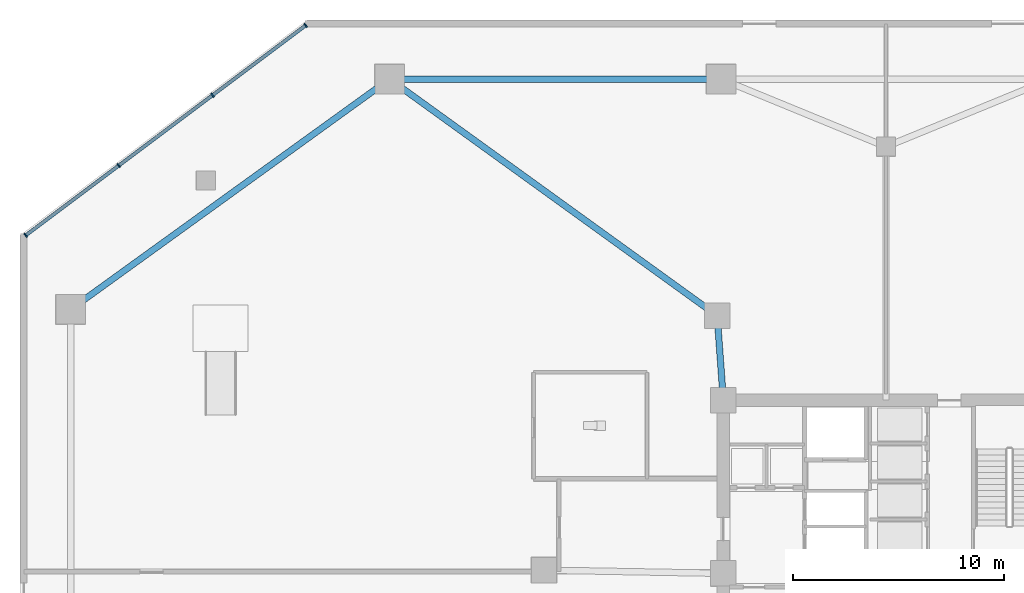
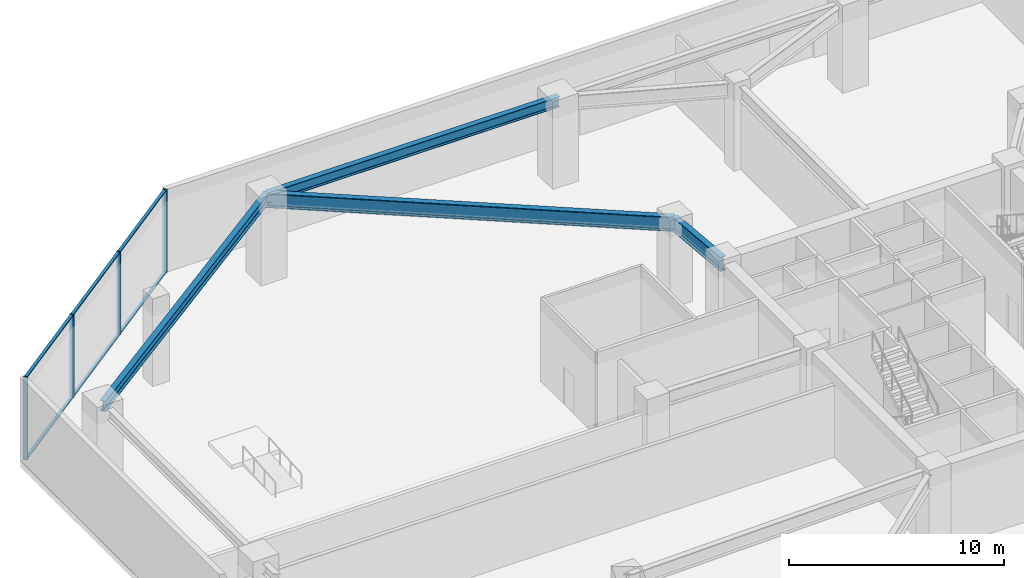
# One storey, part 4 of 22: 10 members, 4 beams, 1 element without a shape of its own.
"""IFC4 building model written with IfcOpenShell, lengths in metres."""

from ifc_helpers import new_model, si_unit, direction, frame, origin, origin_2d, place, context, subcontext, project, spatial, rectangle, i_section, extrude, material, material_profile, profile_set, type_object, element, aggregate, save


model = new_model("IFC4")

# Units and contexts
model_context = context("Model", 3, precision=1e-05, world=origin(), true_north=direction((0.0, 1.0)))
body_context = subcontext(model_context, "Body", "Model", "MODEL_VIEW")
ifc_project = project(units=[si_unit("LENGTHUNIT", "METRE"), si_unit("AREAUNIT", "SQUARE_METRE"), si_unit("VOLUMEUNIT", "CUBIC_METRE"), si_unit("PLANEANGLEUNIT", "RADIAN"), si_unit("MASSUNIT", "GRAM", prefix="KILO")], contexts=[model_context])

# Site, building, storey
site_placement = place(None, origin())
site = spatial("IfcSite", under=ifc_project, at=site_placement, CompositionType="ELEMENT")
building_placement = place(site_placement, origin())
building = spatial("IfcBuilding", under=site, at=building_placement, Name="Savorim Split Tower", CompositionType="ELEMENT")
storey_placement = place(building_placement, origin())
storey = spatial("IfcBuildingStorey", under=building, at=storey_placement, Name="L00", CompositionType="ELEMENT", Elevation=0.0)

# Beams
ifc_material_1 = material(Name="Steel S460", Category="steel")
ifc_material_profile_1 = material_profile(ifc_material_1, i_section(OverallWidth=0.302978515625, OverallDepth=0.81396484375, WebThickness=0.02099609375, FlangeThickness=0.0400390625, FilletRadius=0.030029296875, at=origin_2d()), Name="HE 800 M")
ifc_profile_set_1 = profile_set([ifc_material_profile_1], Name="Steel S460")
beam_type_1 = type_object("IfcBeamType", Name="BM-PRI-HEM800", PredefinedType="BEAM", material=ifc_profile_set_1)
beam_1_placement = place(storey_placement, frame((-23.5, 25.39990234375, 4.31298828125), z_axis=(0.810720623397, -0.585433233426, 0.0), x_axis=(0.585433233426, 0.810720623397, 0.0)))
element("IfcBeam", 1, at=beam_1_placement, inside=storey, type_object=beam_type_1, Name="L00 Podium Primary Girder BG-15", PredefinedType="BEAM", context=body_context, shape_type="SweptSolid", body=[
    extrude(i_section(OverallWidth=0.302978515625, OverallDepth=0.81396484375, WebThickness=0.02099609375, FlangeThickness=0.0400390625, FilletRadius=0.030029296875, at=origin_2d()), origin(), (0.0, 0.0, 1.0), 19.128173828125),
])
beam_2_placement = place(storey_placement, frame((-7.992431640625, 14.20166015625, 4.31298828125), z_axis=(0.072894449016, -0.997339660949, 0.0), x_axis=(0.997339660949, 0.072894449016, 0.0)))
element("IfcBeam", 2, at=beam_2_placement, inside=storey, type_object=beam_type_1, Name="L00 Podium Primary Girder BG-29", PredefinedType="BEAM", context=body_context, shape_type="SweptSolid", body=[
    extrude(i_section(OverallWidth=0.302978515625, OverallDepth=0.81396484375, WebThickness=0.02099609375, FlangeThickness=0.0400390625, FilletRadius=0.030029296875, at=origin_2d()), origin(), (0.0, 0.0, 1.0), 4.012451171875),
])
ifc_material_2 = material(Name="Steel S355", Category="steel")
ifc_material_profile_2 = material_profile(ifc_material_2, i_section(OverallWidth=0.300048828125, OverallDepth=0.590087890625, WebThickness=0.012939453125, FlangeThickness=0.02490234375, FilletRadius=0.027099609375, at=origin_2d()), Name="HEA 600")
ifc_profile_set_2 = profile_set([ifc_material_profile_2], Name="Steel S355")
beam_type_2 = type_object("IfcBeamType", Name="BM-SPN-HEA600", PredefinedType="SPANDREL", material=ifc_profile_set_2)
beam_3_placement = place(storey_placement, frame((-7.800048828125, 25.39990234375, 4.425048828125), z_axis=(-1.0, 0.0, 0.0), x_axis=(0.0, -1.0, 0.0)))
element("IfcBeam", 3, at=beam_3_placement, inside=storey, type_object=beam_type_2, Name="L00 Podium Spandrel Beam 8", PredefinedType="SPANDREL", context=body_context, shape_type="SweptSolid", body=[
    extrude(i_section(OverallWidth=0.300048828125, OverallDepth=0.590087890625, WebThickness=0.012939453125, FlangeThickness=0.02490234375, FilletRadius=0.027099609375, at=origin_2d()), origin(), (0.0, 0.0, 1.0), 15.699951171875),
])
beam_4_placement = place(storey_placement, frame((-23.5, 25.39990234375, 4.425048828125), z_axis=(-0.810825083438, -0.585288547699, 0.0), x_axis=(0.585288547699, -0.810825083438, 0.0)))
element("IfcBeam", 4, at=beam_4_placement, inside=storey, type_object=beam_type_2, Name="L00 Podium Spandrel Beam 9", PredefinedType="SPANDREL", context=body_context, shape_type="SweptSolid", body=[
    extrude(i_section(OverallWidth=0.300048828125, OverallDepth=0.590087890625, WebThickness=0.012939453125, FlangeThickness=0.02490234375, FilletRadius=0.027099609375, at=origin_2d()), origin(), (0.0, 0.0, 1.0), 18.623046875),
])

# Curtain wall, members
ifc_material_3 = material(Name="Dark Ceramic-Fritted Insulated Glass", Category="glass")
curtain_wall_type = type_object("IfcCurtainWallType", Name="CW-POD-GLZ", PredefinedType="NOTDEFINED", material=ifc_material_3)
curtain_wall_placement = place(storey_placement, origin())
curtain_wall = element("IfcCurtainWall", 5, at=curtain_wall_placement, inside=storey, type_object=curtain_wall_type, Name="L00 Curtain Wall CW-L00-E09", PredefinedType="NOTDEFINED")
ifc_material_4 = material(Name="Charcoal Anodised Aluminium", Category="aluminium")
ifc_material_profile_3 = material_profile(ifc_material_4, rectangle(XDim=0.219970703125, YDim=0.070068359375, at=origin_2d()), Name="ALU-M 220x70")
ifc_profile_set_3 = profile_set([ifc_material_profile_3], Name="Charcoal Anodised Aluminium")
member_type_1 = type_object("IfcMemberType", Name="CWM-220x70", PredefinedType="MULLION", material=ifc_profile_set_3)
member_1_placement = place(storey_placement, frame((-27.47607421875, 27.943115234375, 0.0), z_axis=(0.0, 0.0, 1.0), x_axis=(0.600000000002, -0.799999999998, 0.0)))
member_1 = element("IfcMember", 6, at=member_1_placement, type_object=member_type_1, Name="CW-01 mullion 1", PredefinedType="MULLION", context=body_context, shape_type="SweptSolid", body=[
    extrude(rectangle(XDim=0.219970703125, YDim=0.070068359375, at=origin_2d()), origin(), (0.0, 0.0, 1.0), 4.719970703125),
])
member_2_placement = place(storey_placement, frame((-31.88525390625, 24.635986328125, 0.0), z_axis=(0.0, 0.0, 1.0), x_axis=(0.600000000002, -0.799999999998, 0.0)))
member_2 = element("IfcMember", 7, at=member_2_placement, type_object=member_type_1, Name="CW-01 mullion 2", PredefinedType="MULLION", context=body_context, shape_type="SweptSolid", body=[
    extrude(rectangle(XDim=0.219970703125, YDim=0.070068359375, at=origin_2d()), origin(), (0.0, 0.0, 1.0), 4.719970703125),
])
member_3_placement = place(storey_placement, frame((-36.32275390625, 21.30810546875, 0.0), z_axis=(0.0, 0.0, 1.0), x_axis=(0.600000000002, -0.799999999998, 0.0)))
member_3 = element("IfcMember", 8, at=member_3_placement, type_object=member_type_1, Name="CW-01 mullion 3", PredefinedType="MULLION", context=body_context, shape_type="SweptSolid", body=[
    extrude(rectangle(XDim=0.219970703125, YDim=0.070068359375, at=origin_2d()), origin(), (0.0, 0.0, 1.0), 4.719970703125),
])
member_4_placement = place(storey_placement, frame((-40.73193359375, 18.0009765625, 0.0), z_axis=(0.0, 0.0, 1.0), x_axis=(0.600000000002, -0.799999999998, 0.0)))
member_4 = element("IfcMember", 9, at=member_4_placement, type_object=member_type_1, Name="CW-01 mullion 4", PredefinedType="MULLION", context=body_context, shape_type="SweptSolid", body=[
    extrude(rectangle(XDim=0.219970703125, YDim=0.070068359375, at=origin_2d()), origin(), (0.0, 0.0, 1.0), 4.719970703125),
])
ifc_material_profile_4 = material_profile(ifc_material_4, rectangle(XDim=0.159912109375, YDim=0.06005859375, at=origin_2d()), Name="ALU-T 160x60")
ifc_profile_set_4 = profile_set([ifc_material_profile_4], Name="Charcoal Anodised Aluminium")
member_type_2 = type_object("IfcMemberType", Name="CWT-160x60", PredefinedType="USERDEFINED", material=ifc_profile_set_4)
member_5_placement = place(storey_placement, frame((-27.50390625, 27.922119140625, 0.030029296875), z_axis=(-0.8, -0.6, 0.0), x_axis=(0.6, -0.8, 0.0)))
member_5 = element("IfcMember", 10, at=member_5_placement, type_object=member_type_2, Name="CW-01 transom 1.1", ObjectType="TRANSOM", PredefinedType="USERDEFINED", context=body_context, shape_type="SweptSolid", body=[
    extrude(rectangle(XDim=0.159912109375, YDim=0.06005859375, at=origin_2d()), origin(), (0.0, 0.0, 1.0), 5.44189453125),
])
member_6_placement = place(storey_placement, frame((-27.50390625, 27.922119140625, 4.68994140625), z_axis=(-0.8, -0.6, 0.0), x_axis=(0.6, -0.8, 0.0)))
member_6 = element("IfcMember", 11, at=member_6_placement, type_object=member_type_2, Name="CW-01 transom 1.2", ObjectType="TRANSOM", PredefinedType="USERDEFINED", context=body_context, shape_type="SweptSolid", body=[
    extrude(rectangle(XDim=0.159912109375, YDim=0.06005859375, at=origin_2d()), origin(), (0.0, 0.0, 1.0), 5.44189453125),
])
member_7_placement = place(storey_placement, frame((-31.913330078125, 24.614990234375, 0.030029296875), z_axis=(-0.800010698779, -0.599985734697, 0.0), x_axis=(0.599985734697, -0.800010698779, 0.0)))
member_7 = element("IfcMember", 12, at=member_7_placement, type_object=member_type_2, Name="CW-01 transom 2.1", ObjectType="TRANSOM", PredefinedType="USERDEFINED", context=body_context, shape_type="SweptSolid", body=[
    extrude(rectangle(XDim=0.159912109375, YDim=0.06005859375, at=origin_2d()), origin(), (0.0, 0.0, 1.0), 5.4765625),
])
member_8_placement = place(storey_placement, frame((-31.913330078125, 24.614990234375, 4.68994140625), z_axis=(-0.800010698779, -0.599985734697, 0.0), x_axis=(0.599985734697, -0.800010698779, 0.0)))
member_8 = element("IfcMember", 13, at=member_8_placement, type_object=member_type_2, Name="CW-01 transom 2.2", ObjectType="TRANSOM", PredefinedType="USERDEFINED", context=body_context, shape_type="SweptSolid", body=[
    extrude(rectangle(XDim=0.159912109375, YDim=0.06005859375, at=origin_2d()), origin(), (0.0, 0.0, 1.0), 5.4765625),
])
member_9_placement = place(storey_placement, frame((-36.3505859375, 21.287109375, 0.030029296875), z_axis=(-0.8, -0.6, 0.0), x_axis=(0.6, -0.8, 0.0)))
member_9 = element("IfcMember", 14, at=member_9_placement, type_object=member_type_2, Name="CW-01 transom 3.1", ObjectType="TRANSOM", PredefinedType="USERDEFINED", context=body_context, shape_type="SweptSolid", body=[
    extrude(rectangle(XDim=0.159912109375, YDim=0.06005859375, at=origin_2d()), origin(), (0.0, 0.0, 1.0), 5.44189453125),
])
member_10_placement = place(storey_placement, frame((-36.3505859375, 21.287109375, 4.68994140625), z_axis=(-0.8, -0.6, 0.0), x_axis=(0.6, -0.8, 0.0)))
member_10 = element("IfcMember", 15, at=member_10_placement, type_object=member_type_2, Name="CW-01 transom 3.2", ObjectType="TRANSOM", PredefinedType="USERDEFINED", context=body_context, shape_type="SweptSolid", body=[
    extrude(rectangle(XDim=0.159912109375, YDim=0.06005859375, at=origin_2d()), origin(), (0.0, 0.0, 1.0), 5.44189453125),
])
aggregate(curtain_wall, [member_1, member_2, member_3, member_4, member_5, member_6, member_7, member_8, member_9, member_10])

save(model, "model.ifc")
